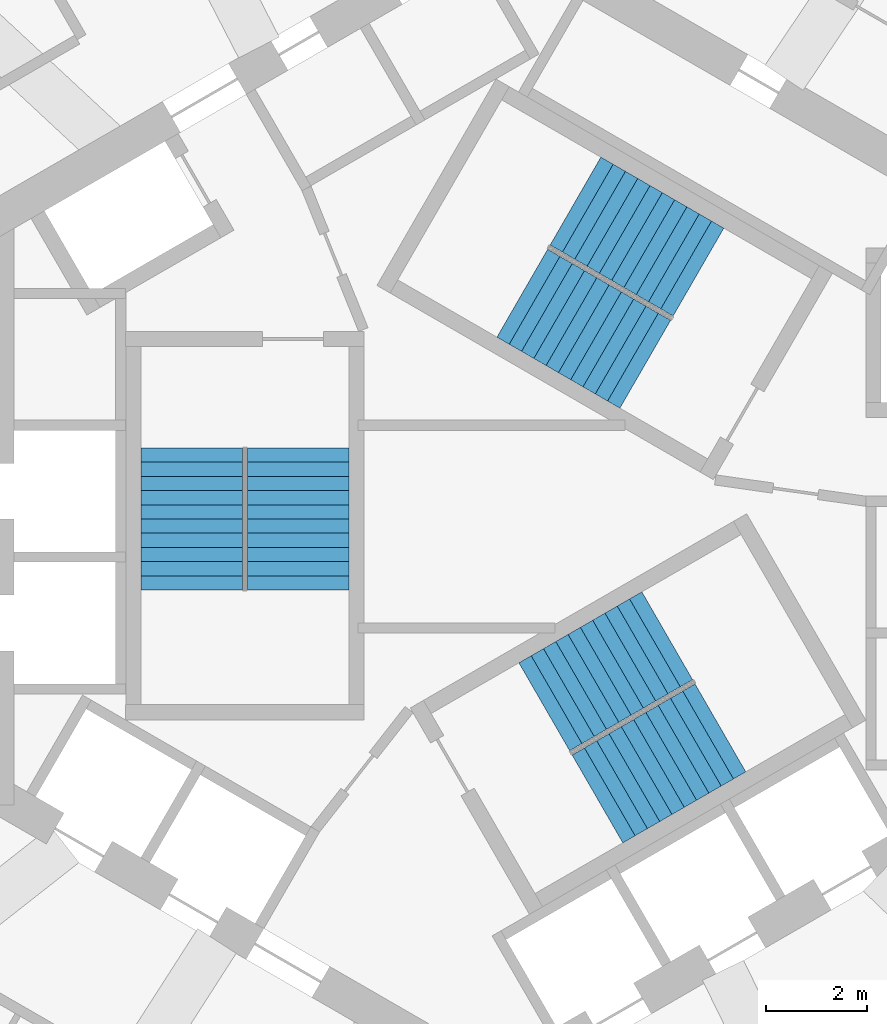
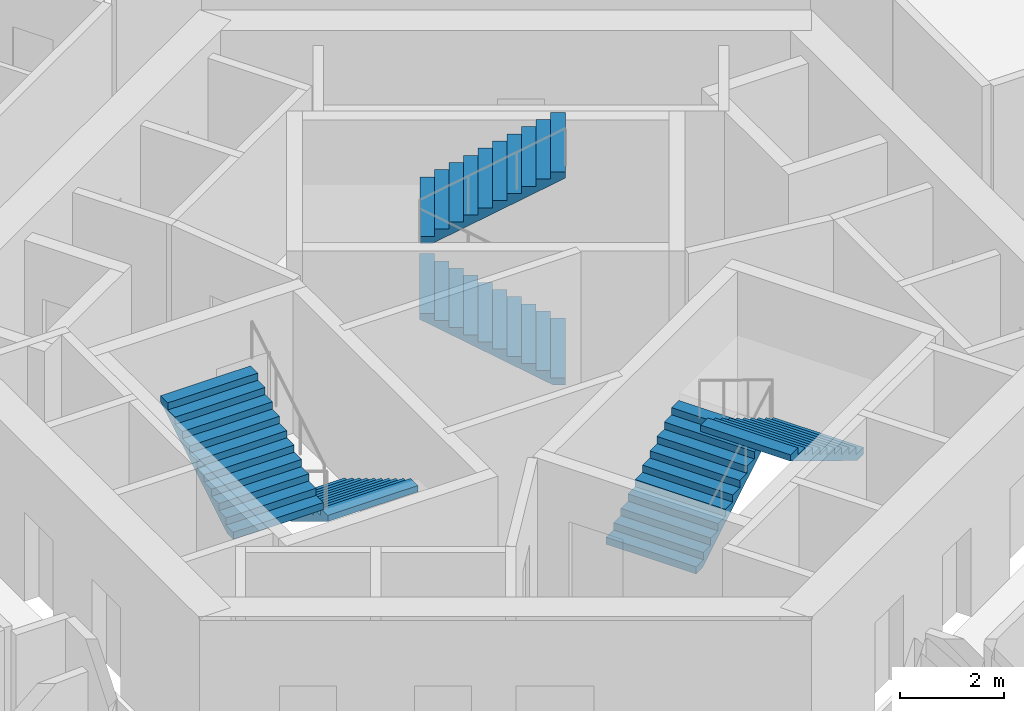
# One storey, part 9 of 11: 6 stair flights, 3 elements without a shape of their own.
"""IFC4 building model written with IfcOpenShell, lengths in metres."""

from ifc_helpers import new_model, si_unit, direction, frame, origin, place, context, subcontext, project, spatial, triangles, source, transform, mapped, material, type_object, element, aggregate, save


model = new_model("IFC4")

# Units and contexts
model_context = context("Model", 3, precision=1e-05, world=origin(), true_north=direction((0.0, 1.0)))
body_context = subcontext(model_context, "Body", "Model", "MODEL_VIEW")
ifc_project = project(units=[si_unit("LENGTHUNIT", "METRE"), si_unit("AREAUNIT", "SQUARE_METRE"), si_unit("VOLUMEUNIT", "CUBIC_METRE"), si_unit("PLANEANGLEUNIT", "RADIAN"), si_unit("MASSUNIT", "GRAM", prefix="KILO")], contexts=[model_context])

# Site, building, storey
site_placement = place(None, origin())
site = spatial("IfcSite", under=ifc_project, at=site_placement, CompositionType="ELEMENT")
building_placement = place(site_placement, origin())
building = spatial("IfcBuilding", under=site, at=building_placement, Name="Vanh Sen Convention Tower", CompositionType="ELEMENT")
storey_placement = place(building_placement, frame((0.0, 0.0, 274.60009765625)))
storey = spatial("IfcBuildingStorey", under=building, at=storey_placement, Name="L68", CompositionType="ELEMENT", Elevation=274.60009765625)

# Stair, stair flights
ifc_material_1 = material(Name="Concrete C50/60", Category="concrete")
stair_type_1 = type_object("IfcStairType", Name="Exit stair ST1 22 risers at 168.2", PredefinedType="HALF_TURN_STAIR", material=ifc_material_1)
stair_1_placement = place(storey_placement, origin())
stair_1 = element("IfcStair", 1, at=stair_1_placement, inside=storey, type_object=stair_type_1, Name="Exit stair ST1 L68", PredefinedType="HALF_TURN_STAIR")
ifc_material_2 = material(Name="Concrete C40/50", Category="concrete")
stair_flight_type = type_object("IfcStairFlightType", Name="Stair flight 2000", PredefinedType="STRAIGHT", material=ifc_material_2)
shared_shape = source(origin(), body_context, "Body", "Tessellation", [
    triangles([(0.24267578125, 1.0, 0.0), (0.0, 1.0, 0.0), (0.0, 1.0, 0.168212890625), (0.280029296875, 1.0, 0.168212890625), (0.280029296875, 1.0, 0.33642578125), (0.56005859375, 1.0, 0.33642578125), (0.56005859375, 1.0, 0.504638671875), (0.840087890625, 1.0, 0.504638671875), (0.840087890625, 1.0, 0.672607421875), (1.1201171875, 1.0, 0.672607421875), (1.1201171875, 1.0, 0.8408203125), (1.39990234375, 1.0, 0.8408203125), (1.39990234375, 1.0, 1.009033203125), (1.679931640625, 1.0, 1.009033203125), (1.679931640625, 1.0, 1.17724609375), (1.9599609375, 1.0, 1.17724609375), (1.9599609375, 1.0, 1.345458984375), (2.239990234375, 1.0, 1.345458984375), (2.239990234375, 1.0, 1.513671875), (2.52001953125, 1.0, 1.513671875), (2.52001953125, 1.0, 1.681884765625), (2.800048828125, 1.0, 1.681884765625), (2.800048828125, 1.0, 1.535888671875), (0.24267578125, -1.0, 0.0), (0.0, -1.0, 0.0), (0.0, -1.0, 0.168212890625), (0.280029296875, -1.0, 0.168212890625), (0.280029296875, -1.0, 0.33642578125), (0.56005859375, -1.0, 0.33642578125), (0.56005859375, -1.0, 0.504638671875), (0.840087890625, -1.0, 0.504638671875), (0.840087890625, -1.0, 0.672607421875), (1.1201171875, -1.0, 0.672607421875), (1.1201171875, -1.0, 0.8408203125), (1.39990234375, -1.0, 0.8408203125), (1.39990234375, -1.0, 1.009033203125), (1.679931640625, -1.0, 1.009033203125), (1.679931640625, -1.0, 1.17724609375), (1.9599609375, -1.0, 1.17724609375), (1.9599609375, -1.0, 1.345458984375), (2.239990234375, -1.0, 1.345458984375), (2.239990234375, -1.0, 1.513671875), (2.52001953125, -1.0, 1.513671875), (2.52001953125, -1.0, 1.681884765625), (2.800048828125, -1.0, 1.681884765625), (2.800048828125, -1.0, 1.535888671875), (0.0, 0.0400390625, 0.0), (0.0, 0.0390625, 0.0), (0.0, 0.0380859375, 0.0), (0.0, 0.037109375, 0.0), (0.0, 0.035888671875, 0.0), (0.0, 0.034912109375, 0.0), (0.0, 0.033935546875, 0.0), (0.0, 0.032958984375, 0.0), (0.0, 0.031982421875, 0.0), (0.0, 0.031005859375, 0.0), (0.0, 0.030029296875, 0.0), (0.0, 0.029052734375, 0.0), (0.0, 0.028076171875, 0.0), (0.0, 0.027099609375, 0.0), (0.0, 0.02587890625, 0.0), (0.0, 0.02490234375, 0.0), (0.0, 0.02392578125, 0.0), (0.0, 0.02294921875, 0.0), (0.0, 0.02197265625, 0.0), (0.0, 0.02099609375, 0.0), (0.0, 0.02001953125, 0.0), (0.0, 0.01904296875, 0.0), (0.0, 0.01806640625, 0.0), (0.0, 0.01708984375, 0.0), (0.0, 0.01611328125, 0.0), (0.0, 0.014892578125, 0.0), (0.0, 0.013916015625, 0.0), (0.0, 0.012939453125, 0.0), (0.0, 0.011962890625, 0.0), (0.0, 0.010986328125, 0.0), (0.0, 0.010009765625, 0.0), (0.0, 0.009033203125, 0.0), (0.0, 0.008056640625, 0.0), (0.0, 0.007080078125, 0.0), (0.0, 0.006103515625, 0.0), (0.0, 0.0048828125, 0.0), (0.0, 0.00390625, 0.0), (0.0, 0.0029296875, 0.0), (0.0, 0.001953125, 0.0), (0.0, 0.0009765625, 0.0), (0.0, 0.0, 0.0), (0.0, -0.0009765625, 0.0), (0.0, -0.001953125, 0.0), (0.0, -0.0029296875, 0.0), (0.0, -0.00390625, 0.0), (0.0, -0.0048828125, 0.0), (0.0, -0.006103515625, 0.0), (0.0, -0.007080078125, 0.0), (0.0, -0.008056640625, 0.0), (0.0, -0.009033203125, 0.0), (0.0, -0.010009765625, 0.0), (0.0, -0.010986328125, 0.0), (0.0, -0.011962890625, 0.0), (0.0, -0.012939453125, 0.0), (0.0, -0.013916015625, 0.0), (0.0, -0.014892578125, 0.0), (0.0, -0.01611328125, 0.0), (0.0, -0.01708984375, 0.0), (0.0, -0.01806640625, 0.0), (0.0, -0.01904296875, 0.0), (0.0, -0.02001953125, 0.0), (0.0, -0.02099609375, 0.0), (0.0, -0.02197265625, 0.0), (0.0, -0.02294921875, 0.0), (0.0, -0.02392578125, 0.0), (0.0, -0.02490234375, 0.0), (0.0, -0.02587890625, 0.0), (0.0, -0.027099609375, 0.0), (0.0, -0.028076171875, 0.0), (0.0, -0.029052734375, 0.0), (0.0, -0.030029296875, 0.0), (0.0, -0.031005859375, 0.0), (0.0, -0.031982421875, 0.0), (0.0, -0.032958984375, 0.0), (0.0, -0.033935546875, 0.0), (0.0, -0.034912109375, 0.0), (0.0, -0.035888671875, 0.0), (0.0, -0.037109375, 0.0), (0.0, -0.0380859375, 0.0), (0.0, -0.0390625, 0.0), (0.0, -0.0400390625, 0.0), (0.0, 0.0400390625, 0.168212890625), (0.0, 0.0390625, 0.168212890625), (0.0, 0.0380859375, 0.168212890625), (0.0, 0.037109375, 0.168212890625), (0.0, 0.035888671875, 0.168212890625), (0.0, 0.034912109375, 0.168212890625), (0.0, 0.033935546875, 0.168212890625), (0.0, 0.032958984375, 0.168212890625), (0.0, 0.031982421875, 0.168212890625), (0.0, 0.031005859375, 0.168212890625), (0.0, 0.030029296875, 0.168212890625), (0.0, 0.029052734375, 0.168212890625), (0.0, 0.028076171875, 0.168212890625), (0.0, 0.027099609375, 0.168212890625), (0.0, 0.02587890625, 0.168212890625), (0.0, 0.02490234375, 0.168212890625), (0.0, 0.02392578125, 0.168212890625), (0.0, 0.02294921875, 0.168212890625), (0.0, 0.02197265625, 0.168212890625), (0.0, 0.02099609375, 0.168212890625), (0.0, 0.02001953125, 0.168212890625), (0.0, 0.01904296875, 0.168212890625), (0.0, 0.01806640625, 0.168212890625), (0.0, 0.01708984375, 0.168212890625), (0.0, 0.01611328125, 0.168212890625), (0.0, 0.014892578125, 0.168212890625), (0.0, 0.013916015625, 0.168212890625), (0.0, 0.012939453125, 0.168212890625), (0.0, 0.011962890625, 0.168212890625), (0.0, 0.010986328125, 0.168212890625), (0.0, 0.010009765625, 0.168212890625), (0.0, 0.009033203125, 0.168212890625), (0.0, 0.008056640625, 0.168212890625), (0.0, 0.007080078125, 0.168212890625), (0.0, 0.006103515625, 0.168212890625), (0.0, 0.0048828125, 0.168212890625), (0.0, 0.00390625, 0.168212890625), (0.0, 0.0029296875, 0.168212890625), (0.0, 0.001953125, 0.168212890625), (0.0, 0.0009765625, 0.168212890625), (0.0, 0.0, 0.168212890625), (0.0, -0.0009765625, 0.168212890625), (0.0, -0.001953125, 0.168212890625), (0.0, -0.0029296875, 0.168212890625), (0.0, -0.00390625, 0.168212890625), (0.0, -0.0048828125, 0.168212890625), (0.0, -0.006103515625, 0.168212890625), (0.0, -0.007080078125, 0.168212890625), (0.0, -0.008056640625, 0.168212890625), (0.0, -0.009033203125, 0.168212890625), (0.0, -0.010009765625, 0.168212890625), (0.0, -0.010986328125, 0.168212890625), (0.0, -0.011962890625, 0.168212890625), (0.0, -0.012939453125, 0.168212890625), (0.0, -0.013916015625, 0.168212890625), (0.0, -0.014892578125, 0.168212890625), (0.0, -0.01611328125, 0.168212890625), (0.0, -0.01708984375, 0.168212890625), (0.0, -0.01806640625, 0.168212890625), (0.0, -0.01904296875, 0.168212890625), (0.0, -0.02001953125, 0.168212890625), (0.0, -0.02099609375, 0.168212890625), (0.0, -0.02197265625, 0.168212890625), (0.0, -0.02294921875, 0.168212890625), (0.0, -0.02392578125, 0.168212890625), (0.0, -0.02490234375, 0.168212890625), (0.0, -0.02587890625, 0.168212890625), (0.0, -0.027099609375, 0.168212890625), (0.0, -0.028076171875, 0.168212890625), (0.0, -0.029052734375, 0.168212890625), (0.0, -0.030029296875, 0.168212890625), (0.0, -0.031005859375, 0.168212890625), (0.0, -0.031982421875, 0.168212890625), (0.0, -0.032958984375, 0.168212890625), (0.0, -0.033935546875, 0.168212890625), (0.0, -0.034912109375, 0.168212890625), (0.0, -0.035888671875, 0.168212890625), (0.0, -0.037109375, 0.168212890625), (0.0, -0.0380859375, 0.168212890625), (0.0, -0.0390625, 0.168212890625), (0.0, -0.0400390625, 0.168212890625), (0.280029296875, 0.0, 0.168212890625), (0.280029296875, 0.0, 0.33642578125), (0.56005859375, 0.0, 0.33642578125), (0.56005859375, 0.0, 0.504638671875), (0.840087890625, 0.0, 0.504638671875), (0.840087890625, 0.0, 0.672607421875), (1.1201171875, 0.0, 0.672607421875), (1.1201171875, 0.0, 0.8408203125), (1.39990234375, 0.0, 0.8408203125), (1.39990234375, 0.0, 1.009033203125), (1.679931640625, 0.0, 1.009033203125), (1.679931640625, 0.0, 1.17724609375), (1.9599609375, 0.0, 1.17724609375), (1.9599609375, 0.0, 1.345458984375), (2.239990234375, 0.0, 1.345458984375), (2.239990234375, 0.0, 1.513671875), (2.52001953125, 0.0, 1.513671875), (2.52001953125, 0.0, 1.681884765625), (2.800048828125, 0.0400390625, 1.681884765625), (2.800048828125, 0.0390625, 1.681884765625), (2.800048828125, 0.0380859375, 1.681884765625), (2.800048828125, 0.037109375, 1.681884765625), (2.800048828125, 0.035888671875, 1.681884765625), (2.800048828125, 0.034912109375, 1.681884765625), (2.800048828125, 0.033935546875, 1.681884765625), (2.800048828125, 0.032958984375, 1.681884765625), (2.800048828125, 0.031982421875, 1.681884765625), (2.800048828125, 0.031005859375, 1.681884765625), (2.800048828125, 0.030029296875, 1.681884765625), (2.800048828125, 0.029052734375, 1.681884765625), (2.800048828125, 0.028076171875, 1.681884765625), (2.800048828125, 0.027099609375, 1.681884765625), (2.800048828125, 0.02587890625, 1.681884765625), (2.800048828125, 0.02490234375, 1.681884765625), (2.800048828125, 0.02392578125, 1.681884765625), (2.800048828125, 0.02294921875, 1.681884765625), (2.800048828125, 0.02197265625, 1.681884765625), (2.800048828125, 0.02099609375, 1.681884765625), (2.800048828125, 0.02001953125, 1.681884765625), (2.800048828125, 0.01904296875, 1.681884765625), (2.800048828125, 0.01806640625, 1.681884765625), (2.800048828125, 0.01708984375, 1.681884765625), (2.800048828125, 0.01611328125, 1.681884765625), (2.800048828125, 0.014892578125, 1.681884765625), (2.800048828125, 0.013916015625, 1.681884765625), (2.800048828125, 0.012939453125, 1.681884765625), (2.800048828125, 0.011962890625, 1.681884765625), (2.800048828125, 0.010986328125, 1.681884765625), (2.800048828125, 0.010009765625, 1.681884765625), (2.800048828125, 0.009033203125, 1.681884765625), (2.800048828125, 0.008056640625, 1.681884765625), (2.800048828125, 0.007080078125, 1.681884765625), (2.800048828125, 0.006103515625, 1.681884765625), (2.800048828125, 0.0048828125, 1.681884765625), (2.800048828125, 0.00390625, 1.681884765625), (2.800048828125, 0.0029296875, 1.681884765625), (2.800048828125, 0.001953125, 1.681884765625), (2.800048828125, 0.0009765625, 1.681884765625), (2.800048828125, 0.0, 1.681884765625), (2.800048828125, -0.0009765625, 1.681884765625), (2.800048828125, -0.001953125, 1.681884765625), (2.800048828125, -0.0029296875, 1.681884765625), (2.800048828125, -0.00390625, 1.681884765625), (2.800048828125, -0.0048828125, 1.681884765625), (2.800048828125, -0.006103515625, 1.681884765625), (2.800048828125, -0.007080078125, 1.681884765625), (2.800048828125, -0.008056640625, 1.681884765625), (2.800048828125, -0.009033203125, 1.681884765625), (2.800048828125, -0.010009765625, 1.681884765625), (2.800048828125, -0.010986328125, 1.681884765625), (2.800048828125, -0.011962890625, 1.681884765625), (2.800048828125, -0.012939453125, 1.681884765625), (2.800048828125, -0.013916015625, 1.681884765625), (2.800048828125, -0.014892578125, 1.681884765625), (2.800048828125, -0.01611328125, 1.681884765625), (2.800048828125, -0.01708984375, 1.681884765625), (2.800048828125, -0.01806640625, 1.681884765625), (2.800048828125, -0.01904296875, 1.681884765625), (2.800048828125, -0.02001953125, 1.681884765625), (2.800048828125, -0.02099609375, 1.681884765625), (2.800048828125, -0.02197265625, 1.681884765625), (2.800048828125, -0.02294921875, 1.681884765625), (2.800048828125, -0.02392578125, 1.681884765625), (2.800048828125, -0.02490234375, 1.681884765625), (2.800048828125, -0.02587890625, 1.681884765625), (2.800048828125, -0.027099609375, 1.681884765625), (2.800048828125, -0.028076171875, 1.681884765625), (2.800048828125, -0.029052734375, 1.681884765625), (2.800048828125, -0.030029296875, 1.681884765625), (2.800048828125, -0.031005859375, 1.681884765625), (2.800048828125, -0.031982421875, 1.681884765625), (2.800048828125, -0.032958984375, 1.681884765625), (2.800048828125, -0.033935546875, 1.681884765625), (2.800048828125, -0.034912109375, 1.681884765625), (2.800048828125, -0.035888671875, 1.681884765625), (2.800048828125, -0.037109375, 1.681884765625), (2.800048828125, -0.0380859375, 1.681884765625), (2.800048828125, -0.0390625, 1.681884765625), (2.800048828125, -0.0400390625, 1.681884765625), (2.800048828125, 0.0400390625, 1.535888671875), (2.800048828125, 0.0390625, 1.535888671875), (2.800048828125, 0.0380859375, 1.535888671875), (2.800048828125, 0.037109375, 1.535888671875), (2.800048828125, 0.035888671875, 1.535888671875), (2.800048828125, 0.034912109375, 1.535888671875), (2.800048828125, 0.033935546875, 1.535888671875), (2.800048828125, 0.032958984375, 1.535888671875), (2.800048828125, 0.031982421875, 1.535888671875), (2.800048828125, 0.031005859375, 1.535888671875), (2.800048828125, 0.030029296875, 1.535888671875), (2.800048828125, 0.029052734375, 1.535888671875), (2.800048828125, 0.028076171875, 1.535888671875), (2.800048828125, 0.027099609375, 1.535888671875), (2.800048828125, 0.02587890625, 1.535888671875), (2.800048828125, 0.02490234375, 1.535888671875), (2.800048828125, 0.02392578125, 1.535888671875), (2.800048828125, 0.02294921875, 1.535888671875), (2.800048828125, 0.02197265625, 1.535888671875), (2.800048828125, 0.02099609375, 1.535888671875), (2.800048828125, 0.02001953125, 1.535888671875), (2.800048828125, 0.01904296875, 1.535888671875), (2.800048828125, 0.01806640625, 1.535888671875), (2.800048828125, 0.01708984375, 1.535888671875), (2.800048828125, 0.01611328125, 1.535888671875), (2.800048828125, 0.014892578125, 1.535888671875), (2.800048828125, 0.013916015625, 1.535888671875), (2.800048828125, 0.012939453125, 1.535888671875), (2.800048828125, 0.011962890625, 1.535888671875), (2.800048828125, 0.010986328125, 1.535888671875), (2.800048828125, 0.010009765625, 1.535888671875), (2.800048828125, 0.009033203125, 1.535888671875), (2.800048828125, 0.008056640625, 1.535888671875), (2.800048828125, 0.007080078125, 1.535888671875), (2.800048828125, 0.006103515625, 1.535888671875), (2.800048828125, 0.0048828125, 1.535888671875), (2.800048828125, 0.00390625, 1.535888671875), (2.800048828125, 0.0029296875, 1.535888671875), (2.800048828125, 0.001953125, 1.535888671875), (2.800048828125, 0.0009765625, 1.535888671875), (2.800048828125, 0.0, 1.535888671875), (2.800048828125, -0.0009765625, 1.535888671875), (2.800048828125, -0.001953125, 1.535888671875), (2.800048828125, -0.0029296875, 1.535888671875), (2.800048828125, -0.00390625, 1.535888671875), (2.800048828125, -0.0048828125, 1.535888671875), (2.800048828125, -0.006103515625, 1.535888671875), (2.800048828125, -0.007080078125, 1.535888671875), (2.800048828125, -0.008056640625, 1.535888671875), (2.800048828125, -0.009033203125, 1.535888671875), (2.800048828125, -0.010009765625, 1.535888671875), (2.800048828125, -0.010986328125, 1.535888671875), (2.800048828125, -0.011962890625, 1.535888671875), (2.800048828125, -0.012939453125, 1.535888671875), (2.800048828125, -0.013916015625, 1.535888671875), (2.800048828125, -0.014892578125, 1.535888671875), (2.800048828125, -0.01611328125, 1.535888671875), (2.800048828125, -0.01708984375, 1.535888671875), (2.800048828125, -0.01806640625, 1.535888671875), (2.800048828125, -0.01904296875, 1.535888671875), (2.800048828125, -0.02001953125, 1.535888671875), (2.800048828125, -0.02099609375, 1.535888671875), (2.800048828125, -0.02197265625, 1.535888671875), (2.800048828125, -0.02294921875, 1.535888671875), (2.800048828125, -0.02392578125, 1.535888671875), (2.800048828125, -0.02490234375, 1.535888671875), (2.800048828125, -0.02587890625, 1.535888671875), (2.800048828125, -0.027099609375, 1.535888671875), (2.800048828125, -0.028076171875, 1.535888671875), (2.800048828125, -0.029052734375, 1.535888671875), (2.800048828125, -0.030029296875, 1.535888671875), (2.800048828125, -0.031005859375, 1.535888671875), (2.800048828125, -0.031982421875, 1.535888671875), (2.800048828125, -0.032958984375, 1.535888671875), (2.800048828125, -0.033935546875, 1.535888671875), (2.800048828125, -0.034912109375, 1.535888671875), (2.800048828125, -0.035888671875, 1.535888671875), (2.800048828125, -0.037109375, 1.535888671875), (2.800048828125, -0.0380859375, 1.535888671875), (2.800048828125, -0.0390625, 1.535888671875), (2.800048828125, -0.0400390625, 1.535888671875), (0.24267578125, 0.0, 0.0)], [[1, 2, 3], [1, 3, 4], [4, 5, 6], [1, 4, 6], [6, 7, 8], [1, 6, 8], [8, 9, 10], [1, 8, 10], [10, 11, 12], [1, 10, 12], [12, 13, 14], [1, 12, 14], [14, 15, 16], [1, 14, 16], [16, 17, 18], [1, 16, 18], [18, 19, 20], [1, 18, 20], [20, 21, 22], [1, 20, 22], [22, 23, 1], [24, 26, 25], [24, 27, 26], [27, 29, 28], [24, 29, 27], [29, 31, 30], [24, 31, 29], [31, 33, 32], [24, 33, 31], [33, 35, 34], [24, 35, 33], [35, 37, 36], [24, 37, 35], [37, 39, 38], [24, 39, 37], [39, 41, 40], [24, 41, 39], [41, 43, 42], [24, 43, 41], [43, 45, 44], [24, 45, 43], [45, 24, 46], [2, 128, 3], [2, 47, 128], [47, 129, 128], [47, 48, 129], [48, 130, 129], [48, 49, 130], [49, 131, 130], [49, 50, 131], [50, 132, 131], [50, 51, 132], [51, 133, 132], [51, 52, 133], [52, 134, 133], [52, 53, 134], [53, 135, 134], [53, 54, 135], [54, 136, 135], [54, 55, 136], [55, 137, 136], [55, 56, 137], [56, 138, 137], [56, 57, 138], [57, 139, 138], [57, 58, 139], [58, 140, 139], [58, 59, 140], [59, 141, 140], [59, 60, 141], [60, 142, 141], [60, 61, 142], [61, 143, 142], [61, 62, 143], [62, 144, 143], [62, 63, 144], [63, 145, 144], [63, 64, 145], [64, 146, 145], [64, 65, 146], [65, 147, 146], [65, 66, 147], [66, 148, 147], [66, 67, 148], [67, 149, 148], [67, 68, 149], [68, 150, 149], [68, 69, 150], [69, 151, 150], [69, 70, 151], [70, 152, 151], [70, 71, 152], [71, 153, 152], [71, 72, 153], [72, 154, 153], [72, 73, 154], [73, 155, 154], [73, 74, 155], [74, 156, 155], [74, 75, 156], [75, 157, 156], [75, 76, 157], [76, 158, 157], [76, 77, 158], [77, 159, 158], [77, 78, 159], [78, 160, 159], [78, 79, 160], [79, 161, 160], [79, 80, 161], [80, 162, 161], [80, 81, 162], [81, 163, 162], [81, 82, 163], [82, 164, 163], [82, 83, 164], [83, 165, 164], [83, 84, 165], [84, 166, 165], [84, 85, 166], [85, 167, 166], [85, 86, 167], [86, 168, 167], [86, 87, 168], [87, 88, 168], [168, 88, 169], [88, 89, 169], [169, 89, 170], [89, 90, 170], [170, 90, 171], [90, 91, 171], [171, 91, 172], [91, 92, 172], [172, 92, 173], [92, 93, 173], [173, 93, 174], [93, 94, 174], [174, 94, 175], [94, 95, 175], [175, 95, 176], [95, 96, 176], [176, 96, 177], [96, 97, 177], [177, 97, 178], [97, 98, 178], [178, 98, 179], [98, 99, 179], [179, 99, 180], [99, 100, 180], [180, 100, 181], [100, 101, 181], [181, 101, 182], [101, 102, 182], [182, 102, 183], [102, 103, 183], [183, 103, 184], [103, 104, 184], [184, 104, 185], [104, 105, 185], [185, 105, 186], [105, 106, 186], [186, 106, 187], [106, 107, 187], [187, 107, 188], [107, 108, 188], [188, 108, 189], [108, 109, 189], [189, 109, 190], [109, 110, 190], [190, 110, 191], [110, 111, 191], [191, 111, 192], [111, 112, 192], [192, 112, 193], [112, 113, 193], [193, 113, 194], [113, 114, 194], [194, 114, 195], [114, 115, 195], [195, 115, 196], [115, 116, 196], [196, 116, 197], [116, 117, 197], [197, 117, 198], [117, 118, 198], [198, 118, 199], [118, 119, 199], [199, 119, 200], [119, 120, 200], [200, 120, 201], [120, 121, 201], [201, 121, 202], [121, 122, 202], [202, 122, 203], [122, 123, 203], [203, 123, 204], [123, 124, 204], [204, 124, 205], [124, 125, 205], [205, 125, 206], [125, 126, 206], [206, 126, 207], [126, 127, 207], [207, 127, 208], [127, 25, 208], [208, 25, 26], [4, 3, 128], [4, 128, 129], [4, 129, 130], [4, 130, 131], [4, 131, 132], [4, 132, 133], [4, 133, 134], [4, 134, 135], [4, 135, 136], [4, 136, 137], [4, 137, 138], [4, 138, 139], [4, 139, 140], [4, 140, 141], [4, 141, 142], [4, 142, 143], [4, 143, 144], [4, 144, 145], [4, 145, 146], [4, 146, 147], [4, 147, 148], [4, 148, 149], [4, 149, 150], [4, 150, 151], [4, 151, 152], [4, 152, 153], [4, 153, 154], [4, 154, 155], [4, 155, 156], [4, 156, 157], [4, 157, 158], [4, 158, 159], [4, 159, 160], [4, 160, 161], [4, 161, 162], [4, 162, 163], [4, 163, 164], [4, 164, 165], [4, 165, 166], [4, 166, 167], [4, 167, 168], [27, 168, 169], [27, 169, 170], [27, 170, 171], [27, 171, 172], [27, 172, 173], [27, 173, 174], [27, 174, 175], [27, 175, 176], [27, 176, 177], [27, 177, 178], [27, 178, 179], [27, 179, 180], [27, 180, 181], [27, 181, 182], [27, 182, 183], [27, 183, 184], [27, 184, 185], [27, 185, 186], [27, 186, 187], [27, 187, 188], [27, 188, 189], [27, 189, 190], [27, 190, 191], [27, 191, 192], [27, 192, 193], [27, 193, 194], [27, 194, 195], [27, 195, 196], [27, 196, 197], [27, 197, 198], [27, 198, 199], [27, 199, 200], [27, 200, 201], [27, 201, 202], [27, 202, 203], [27, 203, 204], [27, 204, 205], [27, 205, 206], [27, 206, 207], [27, 207, 208], [27, 208, 26], [4, 168, 209], [27, 209, 168], [4, 210, 5], [4, 209, 210], [209, 27, 210], [210, 27, 28], [5, 211, 6], [5, 210, 211], [210, 28, 211], [211, 28, 29], [6, 212, 7], [6, 211, 212], [211, 29, 212], [212, 29, 30], [7, 213, 8], [7, 212, 213], [212, 30, 213], [213, 30, 31], [8, 214, 9], [8, 213, 214], [213, 31, 214], [214, 31, 32], [9, 215, 10], [9, 214, 215], [214, 32, 215], [215, 32, 33], [10, 216, 11], [10, 215, 216], [215, 33, 216], [216, 33, 34], [11, 217, 12], [11, 216, 217], [216, 34, 217], [217, 34, 35], [12, 218, 13], [12, 217, 218], [217, 35, 218], [218, 35, 36], [13, 219, 14], [13, 218, 219], [218, 36, 219], [219, 36, 37], [14, 220, 15], [14, 219, 220], [219, 37, 220], [220, 37, 38], [15, 221, 16], [15, 220, 221], [220, 38, 221], [221, 38, 39], [16, 222, 17], [16, 221, 222], [221, 39, 222], [222, 39, 40], [17, 223, 18], [17, 222, 223], [222, 40, 223], [223, 40, 41], [18, 224, 19], [18, 223, 224], [223, 41, 224], [224, 41, 42], [19, 225, 20], [19, 224, 225], [224, 42, 225], [225, 42, 43], [20, 226, 21], [20, 225, 226], [225, 43, 226], [226, 43, 44], [21, 227, 22], [21, 228, 227], [21, 229, 228], [21, 230, 229], [21, 231, 230], [21, 232, 231], [21, 233, 232], [21, 234, 233], [21, 235, 234], [21, 236, 235], [21, 237, 236], [21, 238, 237], [21, 239, 238], [21, 240, 239], [21, 241, 240], [21, 242, 241], [21, 243, 242], [21, 244, 243], [21, 245, 244], [21, 246, 245], [21, 247, 246], [21, 248, 247], [21, 249, 248], [21, 250, 249], [21, 251, 250], [21, 252, 251], [21, 253, 252], [21, 254, 253], [21, 255, 254], [21, 256, 255], [21, 257, 256], [21, 258, 257], [21, 259, 258], [21, 260, 259], [21, 261, 260], [21, 262, 261], [21, 263, 262], [21, 264, 263], [21, 265, 264], [21, 266, 265], [21, 267, 266], [44, 268, 267], [44, 269, 268], [44, 270, 269], [44, 271, 270], [44, 272, 271], [44, 273, 272], [44, 274, 273], [44, 275, 274], [44, 276, 275], [44, 277, 276], [44, 278, 277], [44, 279, 278], [44, 280, 279], [44, 281, 280], [44, 282, 281], [44, 283, 282], [44, 284, 283], [44, 285, 284], [44, 286, 285], [44, 287, 286], [44, 288, 287], [44, 289, 288], [44, 290, 289], [44, 291, 290], [44, 292, 291], [44, 293, 292], [44, 294, 293], [44, 295, 294], [44, 296, 295], [44, 297, 296], [44, 298, 297], [44, 299, 298], [44, 300, 299], [44, 301, 300], [44, 302, 301], [44, 303, 302], [44, 304, 303], [44, 305, 304], [44, 306, 305], [44, 307, 306], [44, 45, 307], [21, 226, 267], [44, 267, 226], [22, 308, 23], [22, 227, 308], [227, 309, 308], [227, 228, 309], [228, 310, 309], [228, 229, 310], [229, 311, 310], [229, 230, 311], [230, 312, 311], [230, 231, 312], [231, 313, 312], [231, 232, 313], [232, 314, 313], [232, 233, 314], [233, 315, 314], [233, 234, 315], [234, 316, 315], [234, 235, 316], [235, 317, 316], [235, 236, 317], [236, 318, 317], [236, 237, 318], [237, 319, 318], [237, 238, 319], [238, 320, 319], [238, 239, 320], [239, 321, 320], [239, 240, 321], [240, 322, 321], [240, 241, 322], [241, 323, 322], [241, 242, 323], [242, 324, 323], [242, 243, 324], [243, 325, 324], [243, 244, 325], [244, 326, 325], [244, 245, 326], [245, 327, 326], [245, 246, 327], [246, 328, 327], [246, 247, 328], [247, 329, 328], [247, 248, 329], [248, 330, 329], [248, 249, 330], [249, 331, 330], [249, 250, 331], [250, 332, 331], [250, 251, 332], [251, 333, 332], [251, 252, 333], [252, 334, 333], [252, 253, 334], [253, 335, 334], [253, 254, 335], [254, 336, 335], [254, 255, 336], [255, 337, 336], [255, 256, 337], [256, 338, 337], [256, 257, 338], [257, 339, 338], [257, 258, 339], [258, 340, 339], [258, 259, 340], [259, 341, 340], [259, 260, 341], [260, 342, 341], [260, 261, 342], [261, 343, 342], [261, 262, 343], [262, 344, 343], [262, 263, 344], [263, 345, 344], [263, 264, 345], [264, 346, 345], [264, 265, 346], [265, 347, 346], [265, 266, 347], [266, 348, 347], [266, 267, 348], [267, 268, 348], [348, 268, 349], [268, 269, 349], [349, 269, 350], [269, 270, 350], [350, 270, 351], [270, 271, 351], [351, 271, 352], [271, 272, 352], [352, 272, 353], [272, 273, 353], [353, 273, 354], [273, 274, 354], [354, 274, 355], [274, 275, 355], [355, 275, 356], [275, 276, 356], [356, 276, 357], [276, 277, 357], [357, 277, 358], [277, 278, 358], [358, 278, 359], [278, 279, 359], [359, 279, 360], [279, 280, 360], [360, 280, 361], [280, 281, 361], [361, 281, 362], [281, 282, 362], [362, 282, 363], [282, 283, 363], [363, 283, 364], [283, 284, 364], [364, 284, 365], [284, 285, 365], [365, 285, 366], [285, 286, 366], [366, 286, 367], [286, 287, 367], [367, 287, 368], [287, 288, 368], [368, 288, 369], [288, 289, 369], [369, 289, 370], [289, 290, 370], [370, 290, 371], [290, 291, 371], [371, 291, 372], [291, 292, 372], [372, 292, 373], [292, 293, 373], [373, 293, 374], [293, 294, 374], [374, 294, 375], [294, 295, 375], [375, 295, 376], [295, 296, 376], [376, 296, 377], [296, 297, 377], [377, 297, 378], [297, 298, 378], [378, 298, 379], [298, 299, 379], [379, 299, 380], [299, 300, 380], [380, 300, 381], [300, 301, 381], [381, 301, 382], [301, 302, 382], [382, 302, 383], [302, 303, 383], [383, 303, 384], [303, 304, 384], [384, 304, 385], [304, 305, 385], [385, 305, 386], [305, 306, 386], [386, 306, 387], [306, 307, 387], [387, 307, 388], [307, 45, 388], [388, 45, 46], [1, 23, 308], [1, 308, 309], [1, 309, 310], [1, 310, 311], [1, 311, 312], [1, 312, 313], [1, 313, 314], [1, 314, 315], [1, 315, 316], [1, 316, 317], [1, 317, 318], [1, 318, 319], [1, 319, 320], [1, 320, 321], [1, 321, 322], [1, 322, 323], [1, 323, 324], [1, 324, 325], [1, 325, 326], [1, 326, 327], [1, 327, 328], [1, 328, 329], [1, 329, 330], [1, 330, 331], [1, 331, 332], [1, 332, 333], [1, 333, 334], [1, 334, 335], [1, 335, 336], [1, 336, 337], [1, 337, 338], [1, 338, 339], [1, 339, 340], [1, 340, 341], [1, 341, 342], [1, 342, 343], [1, 343, 344], [1, 344, 345], [1, 345, 346], [1, 346, 347], [1, 347, 348], [24, 348, 349], [24, 349, 350], [24, 350, 351], [24, 351, 352], [24, 352, 353], [24, 353, 354], [24, 354, 355], [24, 355, 356], [24, 356, 357], [24, 357, 358], [24, 358, 359], [24, 359, 360], [24, 360, 361], [24, 361, 362], [24, 362, 363], [24, 363, 364], [24, 364, 365], [24, 365, 366], [24, 366, 367], [24, 367, 368], [24, 368, 369], [24, 369, 370], [24, 370, 371], [24, 371, 372], [24, 372, 373], [24, 373, 374], [24, 374, 375], [24, 375, 376], [24, 376, 377], [24, 377, 378], [24, 378, 379], [24, 379, 380], [24, 380, 381], [24, 381, 382], [24, 382, 383], [24, 383, 384], [24, 384, 385], [24, 385, 386], [24, 386, 387], [24, 387, 388], [24, 388, 46], [1, 348, 389], [24, 389, 348], [1, 47, 2], [1, 48, 47], [1, 49, 48], [1, 50, 49], [1, 51, 50], [1, 52, 51], [1, 53, 52], [1, 54, 53], [1, 55, 54], [1, 56, 55], [1, 57, 56], [1, 58, 57], [1, 59, 58], [1, 60, 59], [1, 61, 60], [1, 62, 61], [1, 63, 62], [1, 64, 63], [1, 65, 64], [1, 66, 65], [1, 67, 66], [1, 68, 67], [1, 69, 68], [1, 70, 69], [1, 71, 70], [1, 72, 71], [1, 73, 72], [1, 74, 73], [1, 75, 74], [1, 76, 75], [1, 77, 76], [1, 78, 77], [1, 79, 78], [1, 80, 79], [1, 81, 80], [1, 82, 81], [1, 83, 82], [1, 84, 83], [1, 85, 84], [1, 86, 85], [1, 87, 86], [24, 88, 87], [24, 89, 88], [24, 90, 89], [24, 91, 90], [24, 92, 91], [24, 93, 92], [24, 94, 93], [24, 95, 94], [24, 96, 95], [24, 97, 96], [24, 98, 97], [24, 99, 98], [24, 100, 99], [24, 101, 100], [24, 102, 101], [24, 103, 102], [24, 104, 103], [24, 105, 104], [24, 106, 105], [24, 107, 106], [24, 108, 107], [24, 109, 108], [24, 110, 109], [24, 111, 110], [24, 112, 111], [24, 113, 112], [24, 114, 113], [24, 115, 114], [24, 116, 115], [24, 117, 116], [24, 118, 117], [24, 119, 118], [24, 120, 119], [24, 121, 120], [24, 122, 121], [24, 123, 122], [24, 124, 123], [24, 125, 124], [24, 126, 125], [24, 127, 126], [24, 25, 127], [1, 389, 87], [24, 87, 389]], closed=True),
])
stair_flight_1_placement = place(storey_placement, frame((2.94580078125, 2.802490234375, 0.0), z_axis=(0.0, 0.0, 1.0), x_axis=(-0.866025403784, 0.5, 0.0)))
stair_flight_1 = element("IfcStairFlight", 2, at=stair_flight_1_placement, type_object=stair_flight_type, Name="ST1 flight 1", NumberOfRisers=11, NumberOfTreads=10, PredefinedType="STRAIGHT", RiserHeight=0.168181818, TreadLength=0.28, context=body_context, shape_type="MappedRepresentation", body=[
    mapped(shared_shape, transform((0.0, 0.0, 0.0))),
])
stair_flight_2_placement = place(storey_placement, frame((1.571044921875, 6.021240234375, 1.849853515625), z_axis=(0.0, 0.0, 1.0), x_axis=(0.866025403784, -0.5, 0.0)))
stair_flight_2 = element("IfcStairFlight", 3, at=stair_flight_2_placement, type_object=stair_flight_type, Name="ST1 flight 2", NumberOfRisers=11, NumberOfTreads=10, PredefinedType="STRAIGHT", RiserHeight=0.168181818, TreadLength=0.28, context=body_context, shape_type="MappedRepresentation", body=[
    mapped(shared_shape, transform((0.0, 0.0, 0.0))),
])
aggregate(stair_1, [stair_flight_1, stair_flight_2])

stair_type_2 = type_object("IfcStairType", Name="Exit stair ST2 22 risers at 168.2", PredefinedType="HALF_TURN_STAIR", material=ifc_material_1)
stair_2_placement = place(storey_placement, origin())
stair_2 = element("IfcStair", 4, at=stair_2_placement, inside=storey, type_object=stair_type_2, Name="Exit stair ST2 L68", PredefinedType="HALF_TURN_STAIR")
stair_flight_3_placement = place(storey_placement, frame((-3.89990234375, 1.14990234375, 0.0), z_axis=(0.0, 0.0, 1.0), x_axis=(0.0, -1.0, 0.0)))
stair_flight_3 = element("IfcStairFlight", 5, at=stair_flight_3_placement, type_object=stair_flight_type, Name="ST2 flight 1", NumberOfRisers=11, NumberOfTreads=10, PredefinedType="STRAIGHT", RiserHeight=0.168181818, TreadLength=0.28, context=body_context, shape_type="MappedRepresentation", body=[
    mapped(shared_shape, transform((0.0, 0.0, 0.0))),
])
stair_flight_4_placement = place(storey_placement, frame((-6.0, -1.64990234375, 1.849853515625), z_axis=(0.0, 0.0, 1.0), x_axis=(0.0, 1.0, 0.0)))
stair_flight_4 = element("IfcStairFlight", 6, at=stair_flight_4_placement, type_object=stair_flight_type, Name="ST2 flight 2", NumberOfRisers=11, NumberOfTreads=10, PredefinedType="STRAIGHT", RiserHeight=0.168181818, TreadLength=0.28, context=body_context, shape_type="MappedRepresentation", body=[
    mapped(shared_shape, transform((0.0, 0.0, 0.0))),
])
aggregate(stair_2, [stair_flight_3, stair_flight_4])

stair_type_3 = type_object("IfcStairType", Name="Exit stair ST3 22 risers at 168.2", PredefinedType="HALF_TURN_STAIR", material=ifc_material_1)
stair_3_placement = place(storey_placement, origin())
stair_3 = element("IfcStair", 7, at=stair_3_placement, inside=storey, type_object=stair_type_3, Name="Exit stair ST3 L68", PredefinedType="HALF_TURN_STAIR")
stair_flight_5_placement = place(storey_placement, frame((0.9541015625, -3.952392578125, 0.0), z_axis=(0.0, 0.0, 1.0), x_axis=(0.866025403784, 0.5, 0.0)))
stair_flight_5 = element("IfcStairFlight", 8, at=stair_flight_5_placement, type_object=stair_flight_type, Name="ST3 flight 1", NumberOfRisers=11, NumberOfTreads=10, PredefinedType="STRAIGHT", RiserHeight=0.168181818, TreadLength=0.28, context=body_context, shape_type="MappedRepresentation", body=[
    mapped(shared_shape, transform((0.0, 0.0, 0.0))),
])
stair_flight_6_placement = place(storey_placement, frame((4.428955078125, -4.37109375, 1.849853515625), z_axis=(0.0, 0.0, 1.0), x_axis=(-0.866025403784, -0.5, 0.0)))
stair_flight_6 = element("IfcStairFlight", 9, at=stair_flight_6_placement, type_object=stair_flight_type, Name="ST3 flight 2", NumberOfRisers=11, NumberOfTreads=10, PredefinedType="STRAIGHT", RiserHeight=0.168181818, TreadLength=0.28, context=body_context, shape_type="MappedRepresentation", body=[
    mapped(shared_shape, transform((0.0, 0.0, 0.0))),
])
aggregate(stair_3, [stair_flight_5, stair_flight_6])

save(model, "model.ifc")
